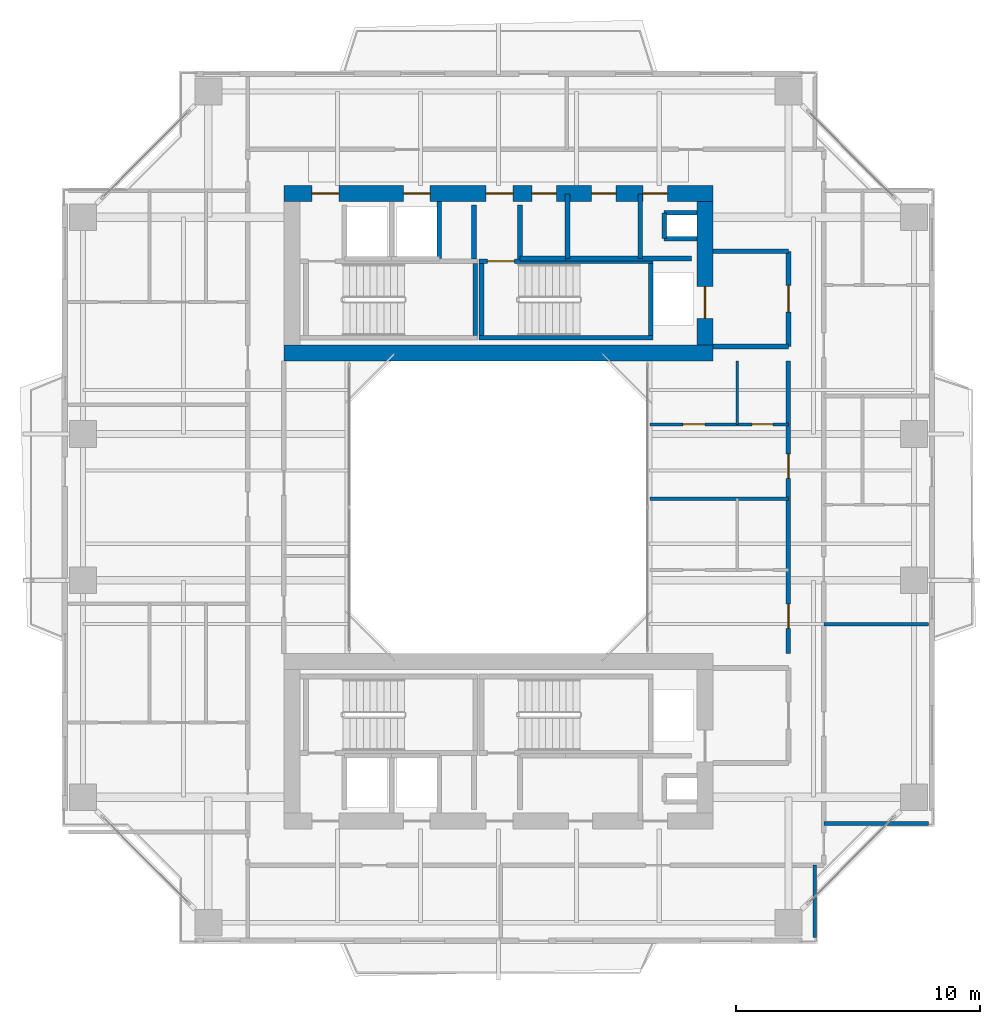
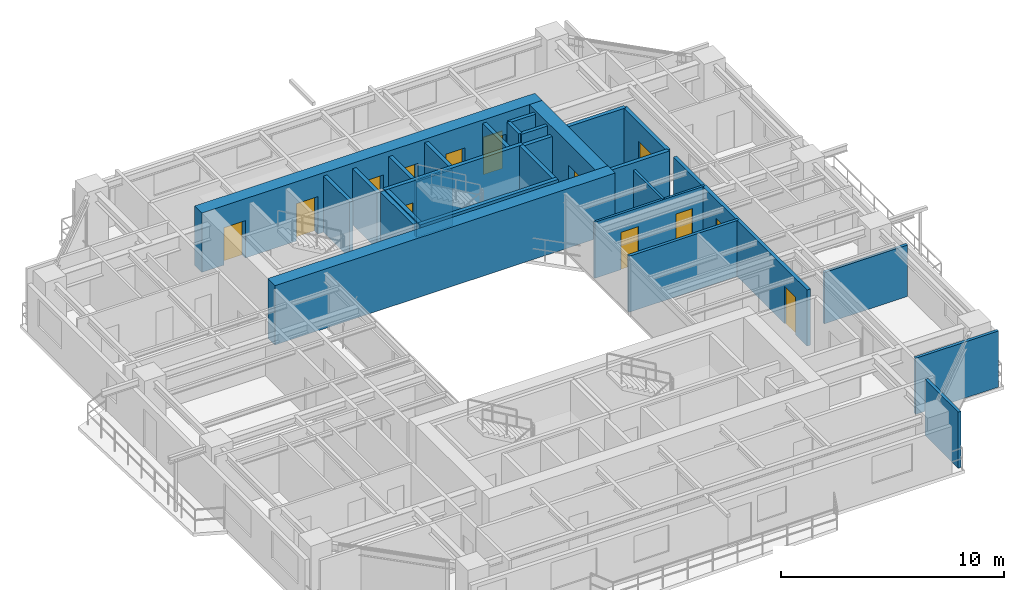
# One storey, part 12 of 17: 28 walls, 13 doors, 13 openings.
"""IFC4 building model written with IfcOpenShell, lengths in metres."""

from ifc_helpers import new_model, si_unit, direction, frame, frame_2d, origin, place, context, subcontext, project, spatial, rectangle, extrude, source, transform, mapped, material, layer, layer_set, type_object, element, fill, save


model = new_model("IFC4")

# Units and contexts
model_context = context("Model", 3, precision=1e-05, world=origin(), true_north=direction((0.0, 1.0)))
body_context = subcontext(model_context, "Body", "Model", "MODEL_VIEW")
ifc_project = project(units=[si_unit("LENGTHUNIT", "METRE"), si_unit("AREAUNIT", "SQUARE_METRE"), si_unit("VOLUMEUNIT", "CUBIC_METRE"), si_unit("PLANEANGLEUNIT", "RADIAN"), si_unit("MASSUNIT", "GRAM", prefix="KILO"), si_unit("THERMODYNAMICTEMPERATUREUNIT", "KELVIN"), si_unit("POWERUNIT", "WATT")], contexts=[model_context])

# Site, building, storey
site_placement = place(None, origin())
site = spatial("IfcSite", under=ifc_project, at=site_placement, CompositionType="ELEMENT")
building_placement = place(site_placement, origin())
building = spatial("IfcBuilding", under=site, at=building_placement, Name="Qiaomeng Ring Towers", CompositionType="ELEMENT")
storey_placement = place(building_placement, frame((0.0, 0.0, 126.25)))
storey = spatial("IfcBuildingStorey", under=building, at=storey_placement, Name="L36", CompositionType="ELEMENT", Elevation=126.25)

# Walls
ifc_material_1 = material(Name="Autoclaved aerated concrete block", Category="concrete")
ifc_layer_1 = layer(ifc_material_1, 0.199951171875, Name="Autoclaved aerated concrete block")
ifc_layer_set_1 = layer_set([ifc_layer_1], Name="Autoclaved aerated concrete block")
wall_type_1 = type_object("IfcWallType", Name="ARC-WL-PW1", PredefinedType="PARTITIONING", material=ifc_layer_set_1)
for number, where, z_axis, x_axis, name in (
    (1, (27.800048828125, 29.60009765625, 0.0), (0.0, 0.0, 1.0), (1.0, 0.0, 0.0), "L36 Interior Wall PW1"),
    (2, (27.800048828125, 33.5, 0.0), (0.0, 0.0, 1.0), (1.0, 0.0, 0.0), "L36 Interior Wall PW1"),
):
    element("IfcWall", number, at=place(storey_placement, frame(where, z_axis=z_axis, x_axis=x_axis)), inside=storey, type_object=wall_type_1, Name=name, PredefinedType="PARTITIONING", context=body_context, shape_type="SweptSolid", body=[
        extrude(rectangle(XDim=3.099853515625, YDim=0.199951171875, at=frame_2d((1.5498046875, 0.0))), origin(), (0.0, 0.0, 1.0), 3.070068359375),
    ])

# Wall, opening, door
wall_1_placement = place(storey_placement, frame((30.89990234375, 29.60009765625, 0.0), z_axis=(0.0, 0.0, 1.0), x_axis=(0.0, 1.0, 0.0)))
wall_1 = element("IfcWall", 3, at=wall_1_placement, inside=storey, type_object=wall_type_1, Name="L36 Interior Wall PW1", PredefinedType="PARTITIONING", context=body_context, shape_type="SweptSolid", body=[
    extrude(rectangle(XDim=3.89990234375, YDim=0.199951171875, at=frame_2d((1.949951171875, 0.0))), origin(), (0.0, 0.0, 1.0), 3.070068359375),
])
opening_1_placement = place(wall_1_placement, frame((1.39990234375, 0.0, 0.0)))
opening_1 = element("IfcOpeningElement", 4, at=opening_1_placement, cuts=wall_1, Name="Opening FD3", PredefinedType="OPENING", context=body_context, shape_type="SweptSolid", body=[
    extrude(rectangle(XDim=1.10009765625, YDim=2.050048828125, at=frame_2d((0.550048828125, 1.02490234375))), frame((0.0, 0.10986328125, 0.0), z_axis=(0.0, -1.0, 0.0), x_axis=(1.0, 0.0, 0.0)), (0.0, 0.0, 1.0), 0.219970703125),
])
ifc_material_2 = material(Name="Galvanised steel", Category="steel")
door_type_1 = type_object("IfcDoorType", Name="ARC-DR-FD3", OperationType="NOTDEFINED", PredefinedType="DOOR", material=ifc_material_2)
shared_shape_1 = source(origin(), body_context, "Body", "SweptSolid", [
    extrude(rectangle(XDim=1.10009765625, YDim=2.050048828125, at=frame_2d((0.550048828125, 1.02490234375))), frame((0.0, 0.02490234375, 0.0), z_axis=(0.0, -1.0, 0.0), x_axis=(1.0, 0.0, 0.0)), (0.0, 0.0, 1.0), 0.050048828125),
])
door_1_placement = place(opening_1_placement, origin())
door_1 = element("IfcDoor", 5, at=door_1_placement, inside=storey, type_object=door_type_1, Name="L36 North FF Lobby Door", OperationType="SINGLE_SWING_RIGHT", OverallHeight=2.050048828125, OverallWidth=1.10009765625, PredefinedType="DOOR", context=body_context, shape_type="MappedRepresentation", body=[
    mapped(shared_shape_1, transform((0.0, 0.0, 0.0), x_axis=(1.0, 0.0, 0.0), y_axis=(0.0, 1.0, 0.0), z_axis=(0.0, 0.0, 1.0), scale=1.0)),
])
fill(opening_1, door_1)

# Walls
for number, where, z_axis, x_axis, name in (
    (6, (18.0, 33.18994140625, 0.0), (0.0, 0.0, 1.0), (0.0, 1.0, 0.0), "L36 Interior Wall PW1"),
    (7, (19.8798828125, 33.18994140625, 0.0), (0.0, 0.0, 1.0), (0.0, 1.0, 0.0), "L36 Interior Wall PW1"),
):
    element("IfcWall", number, at=place(storey_placement, frame(where, z_axis=z_axis, x_axis=x_axis)), inside=storey, type_object=wall_type_1, Name=name, PredefinedType="PARTITIONING", context=body_context, shape_type="SweptSolid", body=[
        extrude(rectangle(XDim=2.2099609375, YDim=0.199951171875, at=frame_2d((1.10498046875, 0.0))), origin(), (0.0, 0.0, 1.0), 3.070068359375),
    ])
wall_2_placement = place(storey_placement, frame((24.820068359375, 33.199951171875, 0.0), z_axis=(0.0, 0.0, 1.0), x_axis=(0.0, 1.0, 0.0)))
element("IfcWall", 8, at=wall_2_placement, inside=storey, type_object=wall_type_1, Name="L36 Interior Wall PW1", PredefinedType="PARTITIONING", context=body_context, shape_type="SweptSolid", body=[
    extrude(rectangle(XDim=2.650146484375, YDim=0.199951171875, at=frame_2d((1.3251953125, 0.0))), origin(), (0.0, 0.0, 1.0), 3.070068359375),
])
wall_3_placement = place(storey_placement, frame((19.8798828125, 33.199951171875, 0.0), z_axis=(0.0, 0.0, 1.0), x_axis=(1.0, 0.0, 0.0)))
element("IfcWall", 9, at=wall_3_placement, inside=storey, type_object=wall_type_1, Name="L36 Interior Wall PW1", PredefinedType="PARTITIONING", context=body_context, shape_type="SweptSolid", body=[
    extrude(rectangle(XDim=1.8701171875, YDim=0.199951171875, at=frame_2d((0.93505859375, 0.0))), origin(), (0.0, 0.0, 1.0), 3.070068359375),
])
wall_4_placement = place(storey_placement, frame((21.830078125, 33.199951171875, 0.0), z_axis=(0.0, 0.0, 1.0), x_axis=(0.0, 1.0, 0.0)))
element("IfcWall", 10, at=wall_4_placement, inside=storey, type_object=wall_type_1, Name="L36 Interior Wall PW1", PredefinedType="PARTITIONING", context=body_context, shape_type="SweptSolid", body=[
    extrude(rectangle(XDim=2.650146484375, YDim=0.199951171875, at=frame_2d((1.3251953125, 0.0))), origin(), (0.0, 0.0, 1.0), 3.070068359375),
])
wall_5_placement = place(storey_placement, frame((21.75, 33.199951171875, 0.0), z_axis=(0.0, 0.0, 1.0), x_axis=(1.0, 0.0, 0.0)))
element("IfcWall", 11, at=wall_5_placement, inside=storey, type_object=wall_type_1, Name="L36 Interior Wall PW1", PredefinedType="PARTITIONING", context=body_context, shape_type="SweptSolid", body=[
    extrude(rectangle(XDim=5.169921875, YDim=0.199951171875, at=frame_2d((2.5849609375, 0.0))), origin(), (0.0, 0.0, 1.0), 3.070068359375),
])

# Wall, openings, doors
ifc_layer_2 = layer(ifc_material_1, 0.179931640625, Name="Autoclaved aerated concrete block")
ifc_layer_set_2 = layer_set([ifc_layer_2], Name="Autoclaved aerated concrete block")
wall_type_2 = type_object("IfcWallType", Name="ARC-WL-PW2", PredefinedType="PARTITIONING", material=ifc_layer_set_2)
wall_6_placement = place(storey_placement, frame((30.89990234375, 17.0, 0.0), z_axis=(0.0, 0.0, 1.0), x_axis=(0.0, 1.0, 0.0)))
wall_6 = element("IfcWall", 12, at=wall_6_placement, inside=storey, type_object=wall_type_2, Name="L36 Interior Wall PW2", PredefinedType="PARTITIONING", context=body_context, shape_type="SweptSolid", body=[
    extrude(rectangle(XDim=12.0, YDim=0.179931640625, at=frame_2d((6.0, 0.0))), origin(), (0.0, 0.0, 1.0), 3.070068359375),
])
opening_2_placement = place(wall_6_placement, frame((1.02490234375, 0.0, 0.0)))
opening_2 = element("IfcOpeningElement", 13, at=opening_2_placement, cuts=wall_6, Name="Opening FD4", PredefinedType="OPENING", context=body_context, shape_type="SweptSolid", body=[
    extrude(rectangle(XDim=1.0, YDim=2.050048828125, at=frame_2d((0.5, 1.02490234375))), frame((0.0, 0.099853515625, 0.0), z_axis=(0.0, -1.0, 0.0), x_axis=(1.0, 0.0, 0.0)), (0.0, 0.0, 1.0), 0.199951171875),
])
opening_3_placement = place(wall_6_placement, frame((7.18505859375, 0.0, 0.0)))
opening_3 = element("IfcOpeningElement", 14, at=opening_3_placement, cuts=wall_6, Name="Opening FD4", PredefinedType="OPENING", context=body_context, shape_type="SweptSolid", body=[
    extrude(rectangle(XDim=1.0, YDim=2.050048828125, at=frame_2d((0.5, 1.02490234375))), frame((0.0, 0.099853515625, 0.0), z_axis=(0.0, -1.0, 0.0), x_axis=(1.0, 0.0, 0.0)), (0.0, 0.0, 1.0), 0.199951171875),
])
ifc_material_3 = material(Name="Engineered fire-rated oak timber", Category="wood")
door_type_2 = type_object("IfcDoorType", Name="ARC-DR-FD4", OperationType="NOTDEFINED", PredefinedType="DOOR", material=ifc_material_3)
shared_shape_2 = source(origin(), body_context, "Body", "SweptSolid", [
    extrude(rectangle(XDim=1.0, YDim=2.050048828125, at=frame_2d((0.5, 1.02490234375))), frame((0.0, 0.02490234375, 0.0), z_axis=(0.0, -1.0, 0.0), x_axis=(1.0, 0.0, 0.0)), (0.0, 0.0, 1.0), 0.050048828125),
])
door_2_placement = place(opening_2_placement, origin())
door_2 = element("IfcDoor", 15, at=door_2_placement, inside=storey, type_object=door_type_2, Name="L36 Door FD4", OperationType="SINGLE_SWING_LEFT", OverallHeight=2.050048828125, OverallWidth=1.0, PredefinedType="DOOR", context=body_context, shape_type="MappedRepresentation", body=[
    mapped(shared_shape_2, transform((0.0, 0.0, 0.0), x_axis=(1.0, 0.0, 0.0), y_axis=(0.0, 1.0, 0.0), z_axis=(0.0, 0.0, 1.0), scale=1.0)),
])
fill(opening_2, door_2)
door_3_placement = place(opening_3_placement, origin())
door_3 = element("IfcDoor", 16, at=door_3_placement, inside=storey, type_object=door_type_2, Name="L36 Door FD4", OperationType="SINGLE_SWING_RIGHT", OverallHeight=2.050048828125, OverallWidth=1.0, PredefinedType="DOOR", context=body_context, shape_type="MappedRepresentation", body=[
    mapped(shared_shape_2, transform((0.0, 0.0, 0.0), x_axis=(1.0, 0.0, 0.0), y_axis=(0.0, 1.0, 0.0), z_axis=(0.0, 0.0, 1.0), scale=1.0)),
])
fill(opening_3, door_3)

# Walls
ifc_material_4 = material(Name="Gypsum fireboard steel-stud partition", Category="steel")
ifc_layer_3 = layer(ifc_material_4, 0.14990234375, Name="Gypsum fireboard steel-stud partition")
ifc_layer_set_3 = layer_set([ifc_layer_3], Name="Gypsum fireboard steel-stud partition")
wall_type_3 = type_object("IfcWallType", Name="ARC-WL-PW3", PredefinedType="PARTITIONING", material=ifc_layer_set_3)
wall_7_placement = place(storey_placement, frame((31.97998046875, 5.35009765625, 0.0), z_axis=(0.0, 0.0, 1.0), x_axis=(0.0, 1.0, 0.0)))
element("IfcWall", 17, at=wall_7_placement, inside=storey, type_object=wall_type_3, Name="L36 Interior Wall PW3", PredefinedType="PARTITIONING", context=body_context, shape_type="SweptSolid", body=[
    extrude(rectangle(XDim=2.9599609375, YDim=0.14990234375, at=frame_2d((1.47998046875, 0.0))), origin(), (0.0, 0.0, 1.0), 3.070068359375),
])
wall_8_placement = place(storey_placement, frame((32.35009765625, 10.02001953125, 0.0), z_axis=(0.0, 0.0, 1.0), x_axis=(1.0, 0.0, 0.0)))
element("IfcWall", 18, at=wall_8_placement, inside=storey, type_object=wall_type_3, Name="L36 Interior Wall PW3", PredefinedType="PARTITIONING", context=body_context, shape_type="SweptSolid", body=[
    extrude(rectangle(XDim=4.2998046875, YDim=0.14990234375, at=frame_2d((2.14990234375, 0.0))), origin(), (0.0, 0.0, 1.0), 3.070068359375),
])
wall_9_placement = place(storey_placement, frame((32.35009765625, 18.18994140625, 0.0), z_axis=(0.0, 0.0, 1.0), x_axis=(1.0, 0.0, 0.0)))
element("IfcWall", 19, at=wall_9_placement, inside=storey, type_object=wall_type_3, Name="L36 Interior Wall PW3", PredefinedType="PARTITIONING", context=body_context, shape_type="SweptSolid", body=[
    extrude(rectangle(XDim=4.2998046875, YDim=0.14990234375, at=frame_2d((2.14990234375, 0.0))), origin(), (0.0, 0.0, 1.0), 2.81494140625),
])
wall_10_placement = place(storey_placement, frame((25.219970703125, 23.35009765625, 0.0), z_axis=(0.0, 0.0, 1.0), x_axis=(1.0, 0.0, 0.0)))
element("IfcWall", 20, at=wall_10_placement, inside=storey, type_object=wall_type_3, Name="L36 Interior Wall PW3", PredefinedType="PARTITIONING", context=body_context, shape_type="SweptSolid", body=[
    extrude(rectangle(XDim=5.679931640625, YDim=0.14990234375, at=frame_2d((2.83984375, 0.0))), origin(), (0.0, 0.0, 1.0), 3.070068359375),
])

# Wall, openings, doors
ifc_material_5 = material(Name="Moisture-resistant gypsum steel-stud partition", Category="steel")
ifc_layer_4 = layer(ifc_material_5, 0.1201171875, Name="Moisture-resistant gypsum steel-stud partition")
ifc_layer_set_4 = layer_set([ifc_layer_4], Name="Moisture-resistant gypsum steel-stud partition")
wall_type_4 = type_object("IfcWallType", Name="ARC-WL-PW4", PredefinedType="PLUMBINGWALL", material=ifc_layer_set_4)
wall_11_placement = place(storey_placement, frame((25.219970703125, 26.39990234375, 0.0), z_axis=(0.0, 0.0, 1.0), x_axis=(1.0, 0.0, 0.0)))
wall_11 = element("IfcWall", 21, at=wall_11_placement, inside=storey, type_object=wall_type_4, Name="L36 Interior Wall PW4", PredefinedType="PLUMBINGWALL", context=body_context, shape_type="SweptSolid", body=[
    extrude(rectangle(XDim=5.679931640625, YDim=0.1201171875, at=frame_2d((2.83984375, 0.0))), origin(), (0.0, 0.0, 1.0), 3.070068359375),
])
opening_4_placement = place(wall_11_placement, frame((1.35009765625, 0.0, 0.0)))
opening_4 = element("IfcOpeningElement", 22, at=opening_4_placement, cuts=wall_11, Name="Opening ID1", PredefinedType="OPENING", context=body_context, shape_type="SweptSolid", body=[
    extrude(rectangle(XDim=0.89990234375, YDim=2.050048828125, at=frame_2d((0.449951171875, 1.02490234375))), frame((0.0, 0.070068359375, 0.0), z_axis=(0.0, -1.0, 0.0), x_axis=(1.0, 0.0, 0.0)), (0.0, 0.0, 1.0), 0.14013671875),
])
opening_5_placement = place(wall_11_placement, frame((4.195068359375, 0.0, 0.0)))
opening_5 = element("IfcOpeningElement", 23, at=opening_5_placement, cuts=wall_11, Name="Opening ID2", PredefinedType="OPENING", context=body_context, shape_type="SweptSolid", body=[
    extrude(rectangle(XDim=0.85009765625, YDim=2.050048828125, at=frame_2d((0.425048828125, 1.02490234375))), frame((0.0, 0.070068359375, 0.0), z_axis=(0.0, -1.0, 0.0), x_axis=(1.0, 0.0, 0.0)), (0.0, 0.0, 1.0), 0.14013671875),
])
ifc_material_6 = material(Name="Moisture-resistant engineered timber", Category="wood")
door_type_3 = type_object("IfcDoorType", Name="ARC-DR-ID2", OperationType="NOTDEFINED", PredefinedType="DOOR", material=ifc_material_6)
shared_shape_3 = source(origin(), body_context, "Body", "SweptSolid", [
    extrude(rectangle(XDim=0.85009765625, YDim=2.050048828125, at=frame_2d((0.425048828125, 1.02490234375))), frame((0.0, 0.02490234375, 0.0), z_axis=(0.0, -1.0, 0.0), x_axis=(1.0, 0.0, 0.0)), (0.0, 0.0, 1.0), 0.050048828125),
])
door_4_placement = place(opening_5_placement, origin())
door_4 = element("IfcDoor", 24, at=door_4_placement, inside=storey, type_object=door_type_3, Name="L36 Door ID2", OperationType="SINGLE_SWING_RIGHT", OverallHeight=2.050048828125, OverallWidth=0.85009765625, PredefinedType="DOOR", context=body_context, shape_type="MappedRepresentation", body=[
    mapped(shared_shape_3, transform((0.0, 0.0, 0.0), x_axis=(1.0, 0.0, 0.0), y_axis=(0.0, 1.0, 0.0), z_axis=(0.0, 0.0, 1.0), scale=1.0)),
])
fill(opening_5, door_4)
ifc_material_7 = material(Name="Engineered oak timber", Category="wood")
door_type_4 = type_object("IfcDoorType", Name="ARC-DR-ID1", OperationType="NOTDEFINED", PredefinedType="DOOR", material=ifc_material_7)
shared_shape_4 = source(origin(), body_context, "Body", "SweptSolid", [
    extrude(rectangle(XDim=0.89990234375, YDim=2.050048828125, at=frame_2d((0.449951171875, 1.02490234375))), frame((0.0, 0.02490234375, 0.0), z_axis=(0.0, -1.0, 0.0), x_axis=(1.0, 0.0, 0.0)), (0.0, 0.0, 1.0), 0.050048828125),
])
door_5_placement = place(opening_4_placement, origin())
door_5 = element("IfcDoor", 25, at=door_5_placement, inside=storey, type_object=door_type_4, Name="L36 Door ID1", OperationType="SINGLE_SWING_LEFT", OverallHeight=2.050048828125, OverallWidth=0.89990234375, PredefinedType="DOOR", context=body_context, shape_type="MappedRepresentation", body=[
    mapped(shared_shape_4, transform((0.0, 0.0, 0.0), x_axis=(1.0, 0.0, 0.0), y_axis=(0.0, 1.0, 0.0), z_axis=(0.0, 0.0, 1.0), scale=1.0)),
])
fill(opening_4, door_5)

# Walls
wall_12_placement = place(storey_placement, frame((28.800048828125, 26.39990234375, 0.0), z_axis=(0.0, 0.0, 1.0), x_axis=(0.0, 1.0, 0.0)))
element("IfcWall", 26, at=wall_12_placement, inside=storey, type_object=wall_type_4, Name="L36 Interior Wall PW4", PredefinedType="PLUMBINGWALL", context=body_context, shape_type="SweptSolid", body=[
    extrude(rectangle(XDim=2.60009765625, YDim=0.1201171875, at=frame_2d((1.300048828125, 0.0))), origin(), (0.0, 0.0, 1.0), 3.070068359375),
])
ifc_material_8 = material(Name="Concrete C40", Category="concrete")
ifc_layer_5 = layer(ifc_material_8, 0.199951171875, Name="Concrete C40")
ifc_layer_set_5 = layer_set([ifc_layer_5], Name="Concrete C40")
wall_type_5 = type_object("IfcWallType", Name="STR-WL-STSHAFT", PredefinedType="SHEAR", material=ifc_layer_set_5)
wall_13_placement = place(storey_placement, frame((25.800048828125, 34.02001953125, 0.0), z_axis=(0.0, 0.0, 1.0), x_axis=(0.0, 1.0, 0.0)))
element("IfcWall", 27, at=wall_13_placement, inside=storey, type_object=wall_type_5, Name="L36 Riser RSR1 West Shaft Wall N", PredefinedType="SHEAR", context=body_context, shape_type="SweptSolid", body=[
    extrude(rectangle(XDim=1.06005859375, YDim=0.179931640625, at=frame_2d((0.530029296875, 0.0))), origin(), (0.0, 0.0, 1.0), 3.070068359375),
])
for number, where, z_axis, x_axis, name in (
    (28, (25.800048828125, 35.080078125, 0.0), (0.0, 0.0, 1.0), (1.0, 0.0, 0.0), "L36 Riser RSR1 North Shaft Wall N"),
    (29, (25.800048828125, 34.02001953125, 0.0), (0.0, 0.0, 1.0), (1.0, 0.0, 0.0), "L36 Riser RSR1 South Shaft Wall N"),
):
    element("IfcWall", number, at=place(storey_placement, frame(where, z_axis=z_axis, x_axis=x_axis)), inside=storey, type_object=wall_type_5, Name=name, PredefinedType="SHEAR", context=body_context, shape_type="SweptSolid", body=[
        extrude(rectangle(XDim=1.349853515625, YDim=0.179931640625, at=frame_2d((0.6748046875, 0.0))), origin(), (0.0, 0.0, 1.0), 3.070068359375),
    ])
wall_14_placement = place(storey_placement, frame((16.580078125, 33.199951171875, 0.0), z_axis=(0.0, 0.0, 1.0), x_axis=(0.0, 1.0, 0.0)))
element("IfcWall", 30, at=wall_14_placement, inside=storey, type_object=wall_type_5, Name="L36 Lift LP3 East Shaft Wall", PredefinedType="SHEAR", context=body_context, shape_type="SweptSolid", body=[
    extrude(rectangle(XDim=2.35009765625, YDim=0.179931640625, at=frame_2d((1.175048828125, 0.0))), origin(), (0.0, 0.0, 1.0), 3.070068359375),
])
wall_15_placement = place(storey_placement, frame((18.050048828125, 30.050048828125, 0.0), z_axis=(0.0, 0.0, 1.0), x_axis=(0.0, 1.0, 0.0)))
element("IfcWall", 31, at=wall_15_placement, inside=storey, type_object=wall_type_5, Name="L36 Stair ST1 East Shaft Shear Wall", PredefinedType="SHEAR", context=body_context, shape_type="SweptSolid", body=[
    extrude(rectangle(XDim=2.93994140625, YDim=0.199951171875, at=frame_2d((1.469970703125, 0.0))), origin(), (0.0, 0.0, 1.0), 3.25),
])
wall_16_placement = place(storey_placement, frame((18.199951171875, 29.949951171875, 0.0), z_axis=(0.0, 0.0, 1.0), x_axis=(1.0, 0.0, 0.0)))
element("IfcWall", 32, at=wall_16_placement, inside=storey, type_object=wall_type_5, Name="L36 Stair ST2 South Shaft Shear Wall", PredefinedType="SHEAR", context=body_context, shape_type="SweptSolid", body=[
    extrude(rectangle(XDim=7.150146484375, YDim=0.199951171875, at=frame_2d((3.5751953125, 0.0))), origin(), (0.0, 0.0, 1.0), 3.25),
])

# Wall, opening, door
wall_17_placement = place(storey_placement, frame((18.199951171875, 33.090087890625, 0.0), z_axis=(0.0, 0.0, 1.0), x_axis=(1.0, 0.0, 0.0)))
wall_17 = element("IfcWall", 33, at=wall_17_placement, inside=storey, type_object=wall_type_5, Name="L36 Stair ST2 North Shaft Shear Wall", PredefinedType="SHEAR", context=body_context, shape_type="SweptSolid", body=[
    extrude(rectangle(XDim=7.150146484375, YDim=0.199951171875, at=frame_2d((3.5751953125, 0.0))), origin(), (0.0, 0.0, 1.0), 3.25),
])
opening_6_placement = place(wall_17_placement, frame((0.35009765625, 0.0, 0.0)))
opening_6 = element("IfcOpeningElement", 34, at=opening_6_placement, cuts=wall_17, Name="Opening FD3", PredefinedType="OPENING", context=body_context, shape_type="SweptSolid", body=[
    extrude(rectangle(XDim=1.10009765625, YDim=2.050048828125, at=frame_2d((0.550048828125, 1.02490234375))), frame((0.0, 0.10986328125, 0.0), z_axis=(0.0, -1.0, 0.0), x_axis=(1.0, 0.0, 0.0)), (0.0, 0.0, 1.0), 0.219970703125),
])
door_6_placement = place(opening_6_placement, origin())
door_6 = element("IfcDoor", 35, at=door_6_placement, inside=storey, type_object=door_type_1, Name="L36 Stair ST2 Exit Door", OperationType="SINGLE_SWING_LEFT", OverallHeight=2.050048828125, OverallWidth=1.10009765625, PredefinedType="DOOR", context=body_context, shape_type="MappedRepresentation", body=[
    mapped(shared_shape_1, transform((0.0, 0.0, 0.0), x_axis=(1.0, 0.0, 0.0), y_axis=(0.0, 1.0, 0.0), z_axis=(0.0, 0.0, 1.0), scale=1.0)),
])
fill(opening_6, door_6)

# Walls
for number, where, z_axis, x_axis, name in (
    (36, (18.300048828125, 30.050048828125, 0.0), (0.0, 0.0, 1.0), (0.0, 1.0, 0.0), "L36 Stair ST2 West Shaft Shear Wall"),
    (37, (25.25, 30.050048828125, 0.0), (0.0, 0.0, 1.0), (0.0, 1.0, 0.0), "L36 Stair ST2 East Shaft Shear Wall"),
):
    element("IfcWall", number, at=place(storey_placement, frame(where, z_axis=z_axis, x_axis=x_axis)), inside=storey, type_object=wall_type_5, Name=name, PredefinedType="SHEAR", context=body_context, shape_type="SweptSolid", body=[
        extrude(rectangle(XDim=2.93994140625, YDim=0.199951171875, at=frame_2d((1.469970703125, 0.0))), origin(), (0.0, 0.0, 1.0), 3.25),
    ])
ifc_material_9 = material(Name="Concrete C55", Category="concrete")
ifc_layer_6 = layer(ifc_material_9, 0.64990234375, Name="Concrete C55")
ifc_layer_set_6 = layer_set([ifc_layer_6], Name="Concrete C55")
wall_type_6 = type_object("IfcWallType", Name="STR-WL-SW2A", PredefinedType="SHEAR", material=ifc_layer_set_6)
wall_18_placement = place(storey_placement, frame((10.199951171875, 29.324951171875, 0.0), z_axis=(0.0, 0.0, 1.0), x_axis=(1.0, 0.0, 0.0)))
element("IfcWall", 38, at=wall_18_placement, inside=storey, type_object=wall_type_6, Name="L36 T1NC south core shear wall", PredefinedType="SHEAR", context=body_context, shape_type="SweptSolid", body=[
    extrude(rectangle(XDim=17.60009765625, YDim=0.64990234375, at=frame_2d((8.800048828125, 0.0))), origin(), (0.0, 0.0, 1.0), 3.25),
])

# Wall, openings, doors
wall_19_placement = place(storey_placement, frame((10.199951171875, 35.875, 0.0), z_axis=(0.0, 0.0, 1.0), x_axis=(1.0, 0.0, 0.0)))
wall_19 = element("IfcWall", 39, at=wall_19_placement, inside=storey, type_object=wall_type_6, Name="L36 T1NC north core shear wall", PredefinedType="SHEAR", context=body_context, shape_type="SweptSolid", body=[
    extrude(rectangle(XDim=17.60009765625, YDim=0.64990234375, at=frame_2d((8.800048828125, 0.0))), origin(), (0.0, 0.0, 1.0), 3.25),
])
opening_7_placement = place(wall_19_placement, frame((1.14990234375, 0.0, 0.0)))
opening_7 = element("IfcOpeningElement", 40, at=opening_7_placement, cuts=wall_19, Name="Opening FD3", PredefinedType="OPENING", context=body_context, shape_type="SweptSolid", body=[
    extrude(rectangle(XDim=1.10009765625, YDim=2.050048828125, at=frame_2d((0.550048828125, 1.02490234375))), frame((0.0, 0.3349609375, 0.0), z_axis=(0.0, -1.0, 0.0), x_axis=(1.0, 0.0, 0.0)), (0.0, 0.0, 1.0), 0.669921875),
])
opening_8_placement = place(wall_19_placement, frame((8.300048828125, 0.0, 0.0)))
opening_8 = element("IfcOpeningElement", 41, at=opening_8_placement, cuts=wall_19, Name="Opening FD3", PredefinedType="OPENING", context=body_context, shape_type="SweptSolid", body=[
    extrude(rectangle(XDim=1.10009765625, YDim=2.050048828125, at=frame_2d((0.550048828125, 1.02490234375))), frame((0.0, 0.3349609375, 0.0), z_axis=(0.0, -1.0, 0.0), x_axis=(1.0, 0.0, 0.0)), (0.0, 0.0, 1.0), 0.669921875),
])
opening_9_placement = place(wall_19_placement, frame((4.89990234375, 0.0, 0.0)))
opening_9 = element("IfcOpeningElement", 42, at=opening_9_placement, cuts=wall_19, Name="Opening LD1", PredefinedType="OPENING", context=body_context, shape_type="SweptSolid", body=[
    extrude(rectangle(XDim=1.10009765625, YDim=2.050048828125, at=frame_2d((0.550048828125, 1.02490234375))), frame((0.0, 0.3349609375, 0.0), z_axis=(0.0, -1.0, 0.0), x_axis=(1.0, 0.0, 0.0)), (0.0, 0.0, 1.0), 0.669921875),
])
opening_10_placement = place(wall_19_placement, frame((14.739990234375, 0.0, 0.0)))
opening_10 = element("IfcOpeningElement", 43, at=opening_10_placement, cuts=wall_19, Name="Opening FD1", PredefinedType="OPENING", context=body_context, shape_type="SweptSolid", body=[
    extrude(rectangle(XDim=1.0, YDim=2.050048828125, at=frame_2d((0.5, 1.02490234375))), frame((0.0, 0.3349609375, 0.0), z_axis=(0.0, -1.0, 0.0), x_axis=(1.0, 0.0, 0.0)), (0.0, 0.0, 1.0), 0.669921875),
])
opening_11_placement = place(wall_19_placement, frame((10.175048828125, 0.0, 0.0)))
opening_11 = element("IfcOpeningElement", 44, at=opening_11_placement, cuts=wall_19, Name="Opening FD1", PredefinedType="OPENING", context=body_context, shape_type="SweptSolid", body=[
    extrude(rectangle(XDim=1.0, YDim=2.050048828125, at=frame_2d((0.5, 1.02490234375))), frame((0.0, 0.3349609375, 0.0), z_axis=(0.0, -1.0, 0.0), x_axis=(1.0, 0.0, 0.0)), (0.0, 0.0, 1.0), 0.669921875),
])
opening_12_placement = place(wall_19_placement, frame((12.625, 0.0, 0.0)))
opening_12 = element("IfcOpeningElement", 45, at=opening_12_placement, cuts=wall_19, Name="Opening FD1", PredefinedType="OPENING", context=body_context, shape_type="SweptSolid", body=[
    extrude(rectangle(XDim=1.0, YDim=2.050048828125, at=frame_2d((0.5, 1.02490234375))), frame((0.0, 0.3349609375, 0.0), z_axis=(0.0, -1.0, 0.0), x_axis=(1.0, 0.0, 0.0)), (0.0, 0.0, 1.0), 0.669921875),
])
door_7_placement = place(opening_7_placement, origin())
door_7 = element("IfcDoor", 46, at=door_7_placement, inside=storey, type_object=door_type_1, Name="L36 Stair ST1 Lobby Door", OperationType="SINGLE_SWING_RIGHT", OverallHeight=2.050048828125, OverallWidth=1.10009765625, PredefinedType="DOOR", context=body_context, shape_type="MappedRepresentation", body=[
    mapped(shared_shape_1, transform((0.0, 0.0, 0.0), x_axis=(1.0, 0.0, 0.0), y_axis=(0.0, 1.0, 0.0), z_axis=(0.0, 0.0, 1.0), scale=1.0)),
])
fill(opening_7, door_7)
door_8_placement = place(opening_8_placement, origin())
door_8 = element("IfcDoor", 47, at=door_8_placement, inside=storey, type_object=door_type_1, Name="L36 Stair ST2 Lobby Door", OperationType="SINGLE_SWING_RIGHT", OverallHeight=2.050048828125, OverallWidth=1.10009765625, PredefinedType="DOOR", context=body_context, shape_type="MappedRepresentation", body=[
    mapped(shared_shape_1, transform((0.0, 0.0, 0.0), x_axis=(1.0, 0.0, 0.0), y_axis=(0.0, 1.0, 0.0), z_axis=(0.0, 0.0, 1.0), scale=1.0)),
])
fill(opening_8, door_8)
ifc_material_10 = material(Name="Stainless steel 316", Category="steel")
door_type_5 = type_object("IfcDoorType", Name="ARC-DR-LD1", OperationType="NOTDEFINED", PredefinedType="DOOR", material=ifc_material_10)
door_9_placement = place(opening_9_placement, origin())
door_9 = element("IfcDoor", 48, at=door_9_placement, inside=storey, type_object=door_type_5, Name="L36 Mid-Zone Lift LP3 Landing Door", OperationType="SLIDING_TO_LEFT", OverallHeight=2.050048828125, OverallWidth=1.10009765625, PredefinedType="DOOR", context=body_context, shape_type="MappedRepresentation", body=[
    mapped(shared_shape_1, transform((0.0, 0.0, 0.0), x_axis=(1.0, 0.0, 0.0), y_axis=(0.0, 1.0, 0.0), z_axis=(0.0, 0.0, 1.0), scale=1.0)),
])
fill(opening_9, door_9)
door_type_6 = type_object("IfcDoorType", Name="ARC-DR-FD1", OperationType="NOTDEFINED", PredefinedType="DOOR", material=ifc_material_2)
door_10_placement = place(opening_10_placement, origin())
door_10 = element("IfcDoor", 49, at=door_10_placement, inside=storey, type_object=door_type_6, Name="L36 North Electrical Riser Door", OperationType="SINGLE_SWING_RIGHT", OverallHeight=2.050048828125, OverallWidth=1.0, PredefinedType="DOOR", context=body_context, shape_type="MappedRepresentation", body=[
    mapped(shared_shape_2, transform((0.0, 0.0, 0.0), x_axis=(1.0, 0.0, 0.0), y_axis=(0.0, 1.0, 0.0), z_axis=(0.0, 0.0, 1.0), scale=1.0)),
])
fill(opening_10, door_10)
door_11_placement = place(opening_11_placement, origin())
door_11 = element("IfcDoor", 50, at=door_11_placement, inside=storey, type_object=door_type_6, Name="L36 North Cleaners Store Door", OperationType="SINGLE_SWING_RIGHT", OverallHeight=2.050048828125, OverallWidth=1.0, PredefinedType="DOOR", context=body_context, shape_type="MappedRepresentation", body=[
    mapped(shared_shape_2, transform((0.0, 0.0, 0.0), x_axis=(1.0, 0.0, 0.0), y_axis=(0.0, 1.0, 0.0), z_axis=(0.0, 0.0, 1.0), scale=1.0)),
])
fill(opening_11, door_11)
door_12_placement = place(opening_12_placement, origin())
door_12 = element("IfcDoor", 51, at=door_12_placement, inside=storey, type_object=door_type_6, Name="L36 North Telemetry Office Door", OperationType="SINGLE_SWING_LEFT", OverallHeight=2.050048828125, OverallWidth=1.0, PredefinedType="DOOR", context=body_context, shape_type="MappedRepresentation", body=[
    mapped(shared_shape_2, transform((0.0, 0.0, 0.0), x_axis=(1.0, 0.0, 0.0), y_axis=(0.0, 1.0, 0.0), z_axis=(0.0, 0.0, 1.0), scale=1.0)),
])
fill(opening_12, door_12)

# Wall, opening, door
wall_20_placement = place(storey_placement, frame((27.47509765625, 29.64990234375, 0.0), z_axis=(0.0, 0.0, 1.0), x_axis=(0.0, 1.0, 0.0)))
wall_20 = element("IfcWall", 52, at=wall_20_placement, inside=storey, type_object=wall_type_6, Name="L36 T1NC east core shear wall", PredefinedType="SHEAR", context=body_context, shape_type="SweptSolid", body=[
    extrude(rectangle(XDim=5.900146484375, YDim=0.64990234375, at=frame_2d((2.9501953125, 0.0))), origin(), (0.0, 0.0, 1.0), 3.25),
])
opening_13_placement = place(wall_20_placement, frame((1.10009765625, 0.0, 0.0)))
opening_13 = element("IfcOpeningElement", 53, at=opening_13_placement, cuts=wall_20, Name="Opening LD2", PredefinedType="OPENING", context=body_context, shape_type="SweptSolid", body=[
    extrude(rectangle(XDim=1.300048828125, YDim=2.050048828125, at=frame_2d((0.64990234375, 1.02490234375))), frame((0.0, 0.3349609375, 0.0), z_axis=(0.0, -1.0, 0.0), x_axis=(1.0, 0.0, 0.0)), (0.0, 0.0, 1.0), 0.669921875),
])
door_type_7 = type_object("IfcDoorType", Name="ARC-DR-LD2", OperationType="NOTDEFINED", PredefinedType="DOOR", material=ifc_material_10)
shared_shape_5 = source(origin(), body_context, "Body", "SweptSolid", [
    extrude(rectangle(XDim=1.300048828125, YDim=2.050048828125, at=frame_2d((0.64990234375, 1.02490234375))), frame((0.0, 0.02490234375, 0.0), z_axis=(0.0, -1.0, 0.0), x_axis=(1.0, 0.0, 0.0)), (0.0, 0.0, 1.0), 0.050048828125),
])
door_13_placement = place(opening_13_placement, origin())
door_13 = element("IfcDoor", 54, at=door_13_placement, inside=storey, type_object=door_type_7, Name="L36 Firefighting Lift FL1 Landing Door", OperationType="SLIDING_TO_LEFT", OverallHeight=2.050048828125, OverallWidth=1.300048828125, PredefinedType="DOOR", context=body_context, shape_type="MappedRepresentation", body=[
    mapped(shared_shape_5, transform((0.0, 0.0, 0.0), x_axis=(1.0, 0.0, 0.0), y_axis=(0.0, 1.0, 0.0), z_axis=(0.0, 0.0, 1.0), scale=1.0)),
])
fill(opening_13, door_13)

save(model, "model.ifc")
